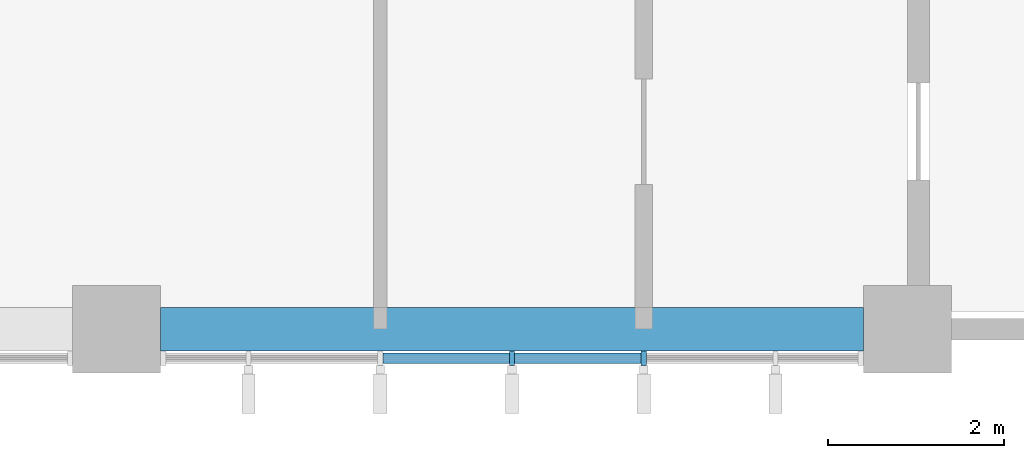
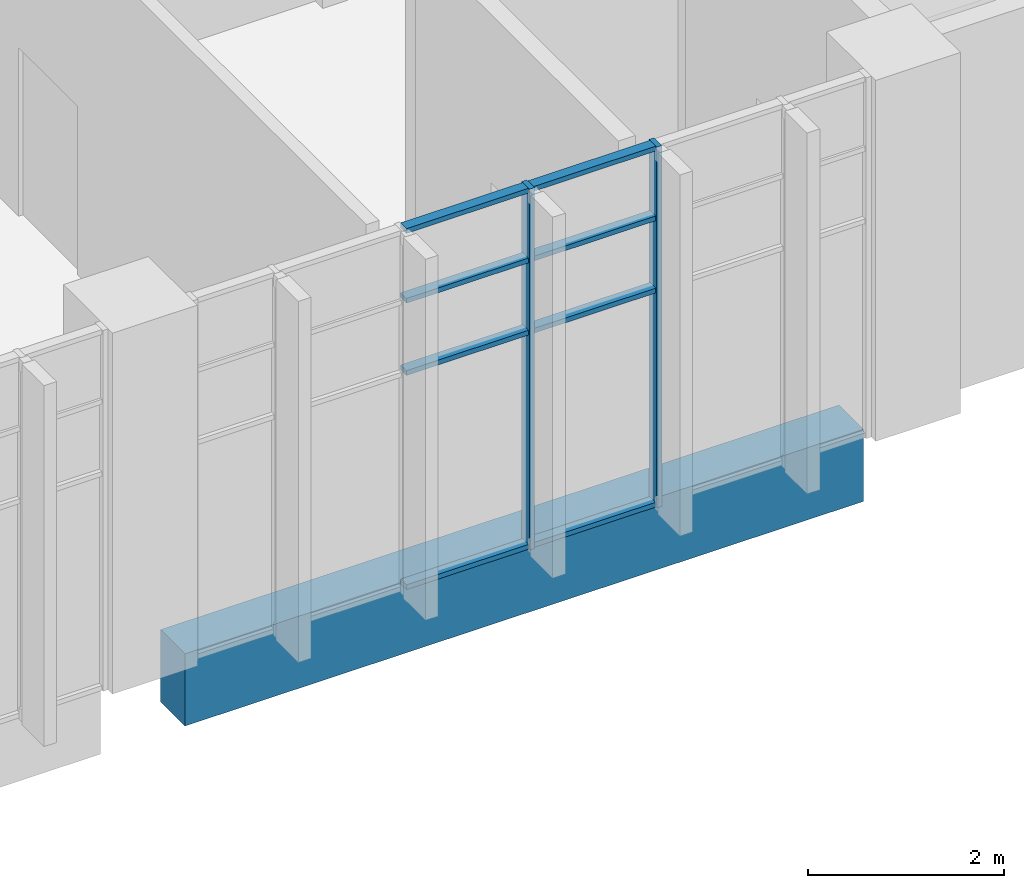
# One storey, part 30 of 88: 10 members, 1 beam, 1 element without a shape of its own.
"""IFC4 building model written with IfcOpenShell, lengths in metres."""

from ifc_helpers import new_model, si_unit, direction, frame, origin, origin_2d, place, context, subcontext, project, spatial, rectangle, extrude, material, layer, layer_set, material_profile, profile_set, type_object, element, aggregate, save


model = new_model("IFC4")

# Units and contexts
model_context = context("Model", 3, precision=1e-05, world=origin(), true_north=direction((0.0, 1.0)))
body_context = subcontext(model_context, "Body", "Model", "MODEL_VIEW")
ifc_project = project(units=[si_unit("LENGTHUNIT", "METRE"), si_unit("AREAUNIT", "SQUARE_METRE"), si_unit("VOLUMEUNIT", "CUBIC_METRE"), si_unit("PLANEANGLEUNIT", "RADIAN"), si_unit("MASSUNIT", "GRAM", prefix="KILO")], contexts=[model_context])

# Site, building, storey
site_placement = place(None, origin())
site = spatial("IfcSite", under=ifc_project, at=site_placement, CompositionType="ELEMENT")
building_placement = place(site_placement, origin())
building = spatial("IfcBuilding", under=site, at=building_placement, Name="Guidao Yard Department Store", CompositionType="ELEMENT")
storey_placement = place(building_placement, frame((0.0, 0.0, 6.0)))
storey = spatial("IfcBuildingStorey", under=building, at=storey_placement, Name="L01", CompositionType="ELEMENT", Elevation=6.0)

# Curtain wall, members
ifc_material_1 = material(Name="Aluminium and glass", Category="aluminium")
ifc_layer = layer(ifc_material_1, 0.159912109375)
ifc_layer_set = layer_set([ifc_layer], Name="Unitised curtain wall CW4 1500 module")
curtain_wall_type = type_object("IfcCurtainWallType", Name="Unitised curtain wall CW4 1500 module", PredefinedType="NOTDEFINED", material=ifc_layer_set)
curtain_wall_placement = place(storey_placement, origin())
curtain_wall = element("IfcCurtainWall", 1, at=curtain_wall_placement, inside=storey, type_object=curtain_wall_type, Name="Unitised curtain wall", PredefinedType="NOTDEFINED")
ifc_material_2 = material(Name="Aluminium 6063-T5", Category="aluminium")
ifc_material_profile_1 = material_profile(ifc_material_2, rectangle(XDim=0.06005859375, YDim=0.159912109375, at=origin_2d()), Name="Mullion M1 60 x 160 aluminium pressure plate")
ifc_profile_set_1 = profile_set([ifc_material_profile_1], Name="Aluminium 6063-T5")
member_type_1 = type_object("IfcMemberType", Name="Mullion M1 60 x 160 aluminium pressure plate", PredefinedType="MULLION", material=ifc_profile_set_1)
member_1_placement = place(storey_placement, frame((157.5, -0.330078125, 0.0), z_axis=(0.0, 0.0, 1.0), x_axis=(-1.0, 0.0, 0.0)))
member_1 = element("IfcMember", 2, at=member_1_placement, type_object=member_type_1, Name="CW-OW-L01-04 mullion 4", PredefinedType="MULLION", context=body_context, shape_type="SweptSolid", body=[
    extrude(rectangle(XDim=0.06005859375, YDim=0.159912109375, at=origin_2d()), origin(), (0.0, 0.0, 1.0), 4.5),
])
member_2_placement = place(storey_placement, frame((159.0, -0.330078125, 0.0), z_axis=(0.0, 0.0, 1.0), x_axis=(-1.0, 0.0, 0.0)))
member_2 = element("IfcMember", 3, at=member_2_placement, type_object=member_type_1, Name="CW-OW-L01-04 mullion 5", PredefinedType="MULLION", context=body_context, shape_type="SweptSolid", body=[
    extrude(rectangle(XDim=0.06005859375, YDim=0.159912109375, at=origin_2d()), origin(), (0.0, 0.0, 1.0), 4.5),
])

# Beam
ifc_material_3 = material(Name="Concrete C40", Category="concrete")
ifc_material_profile_2 = material_profile(ifc_material_3, rectangle(XDim=0.5, YDim=0.89990234375, at=origin_2d()), Name="Spandrel beam 500 x 900 C40")
ifc_profile_set_2 = profile_set([ifc_material_profile_2], Name="Concrete C40")
beam_type = type_object("IfcBeamType", Name="Spandrel beam 500 x 900 C40", PredefinedType="SPANDREL", material=ifc_profile_set_2)
beam_placement = place(storey_placement, frame((153.5, 0.0, -0.449951171875), z_axis=(1.0, 0.0, 0.0), x_axis=(0.0, 1.0, 0.0)))
element("IfcBeam", 4, at=beam_placement, inside=storey, type_object=beam_type, Name="Beam FB03", PredefinedType="SPANDREL", context=body_context, shape_type="SweptSolid", body=[
    extrude(rectangle(XDim=0.5, YDim=0.89990234375, at=origin_2d()), origin(), (0.0, 0.0, 1.0), 8.0),
])

# Member
ifc_material_4 = material(Name="Aluminium 6063-T5", Category="aluminium")
ifc_material_profile_3 = material_profile(ifc_material_4, rectangle(XDim=0.1201171875, YDim=0.06005859375, at=origin_2d()), Name="Transom T1 60 x 120 aluminium pressure plate")
ifc_profile_set_3 = profile_set([ifc_material_profile_3], Name="Aluminium 6063-T5")
member_type_2 = type_object("IfcMemberType", Name="Transom T1 60 x 120 aluminium pressure plate", PredefinedType="USERDEFINED", material=ifc_profile_set_3)
member_3_placement = place(storey_placement, frame((157.469970703125, -0.330078125, 0.030029296875), z_axis=(-1.0, 0.0, 0.0), x_axis=(0.0, -1.0, 0.0)))
member_3 = element("IfcMember", 5, at=member_3_placement, type_object=member_type_2, Name="CW-OW-L01-04 transom 3.1", ObjectType="TRANSOM", PredefinedType="USERDEFINED", context=body_context, shape_type="SweptSolid", body=[
    extrude(rectangle(XDim=0.1201171875, YDim=0.06005859375, at=origin_2d()), origin(), (0.0, 0.0, 1.0), 1.43994140625),
])

member_4_placement = place(storey_placement, frame((157.469970703125, -0.330078125, 2.699951171875), z_axis=(-1.0, 0.0, 0.0), x_axis=(0.0, -1.0, 0.0)))
member_4 = element("IfcMember", 6, at=member_4_placement, type_object=member_type_2, Name="CW-OW-L01-04 transom 3.2", ObjectType="TRANSOM", PredefinedType="USERDEFINED", context=body_context, shape_type="SweptSolid", body=[
    extrude(rectangle(XDim=0.1201171875, YDim=0.06005859375, at=origin_2d()), origin(), (0.0, 0.0, 1.0), 1.43994140625),
])

member_5_placement = place(storey_placement, frame((157.469970703125, -0.330078125, 3.60009765625), z_axis=(-1.0, 0.0, 0.0), x_axis=(0.0, -1.0, 0.0)))
member_5 = element("IfcMember", 7, at=member_5_placement, type_object=member_type_2, Name="CW-OW-L01-04 transom 3.3", ObjectType="TRANSOM", PredefinedType="USERDEFINED", context=body_context, shape_type="SweptSolid", body=[
    extrude(rectangle(XDim=0.1201171875, YDim=0.06005859375, at=origin_2d()), origin(), (0.0, 0.0, 1.0), 1.43994140625),
])

member_6_placement = place(storey_placement, frame((157.469970703125, -0.330078125, 4.469970703125), z_axis=(-1.0, 0.0, 0.0), x_axis=(0.0, -1.0, 0.0)))
member_6 = element("IfcMember", 8, at=member_6_placement, type_object=member_type_2, Name="CW-OW-L01-04 transom 3.4", ObjectType="TRANSOM", PredefinedType="USERDEFINED", context=body_context, shape_type="SweptSolid", body=[
    extrude(rectangle(XDim=0.1201171875, YDim=0.06005859375, at=origin_2d()), origin(), (0.0, 0.0, 1.0), 1.43994140625),
])

member_7_placement = place(storey_placement, frame((158.969970703125, -0.330078125, 0.030029296875), z_axis=(-1.0, 0.0, 0.0), x_axis=(0.0, -1.0, 0.0)))
member_7 = element("IfcMember", 9, at=member_7_placement, type_object=member_type_2, Name="CW-OW-L01-04 transom 4.1", ObjectType="TRANSOM", PredefinedType="USERDEFINED", context=body_context, shape_type="SweptSolid", body=[
    extrude(rectangle(XDim=0.1201171875, YDim=0.06005859375, at=origin_2d()), origin(), (0.0, 0.0, 1.0), 1.43994140625),
])

member_8_placement = place(storey_placement, frame((158.969970703125, -0.330078125, 2.699951171875), z_axis=(-1.0, 0.0, 0.0), x_axis=(0.0, -1.0, 0.0)))
member_8 = element("IfcMember", 10, at=member_8_placement, type_object=member_type_2, Name="CW-OW-L01-04 transom 4.2", ObjectType="TRANSOM", PredefinedType="USERDEFINED", context=body_context, shape_type="SweptSolid", body=[
    extrude(rectangle(XDim=0.1201171875, YDim=0.06005859375, at=origin_2d()), origin(), (0.0, 0.0, 1.0), 1.43994140625),
])

member_9_placement = place(storey_placement, frame((158.969970703125, -0.330078125, 3.60009765625), z_axis=(-1.0, 0.0, 0.0), x_axis=(0.0, -1.0, 0.0)))
member_9 = element("IfcMember", 11, at=member_9_placement, type_object=member_type_2, Name="CW-OW-L01-04 transom 4.3", ObjectType="TRANSOM", PredefinedType="USERDEFINED", context=body_context, shape_type="SweptSolid", body=[
    extrude(rectangle(XDim=0.1201171875, YDim=0.06005859375, at=origin_2d()), origin(), (0.0, 0.0, 1.0), 1.43994140625),
])

member_10_placement = place(storey_placement, frame((158.969970703125, -0.330078125, 4.469970703125), z_axis=(-1.0, 0.0, 0.0), x_axis=(0.0, -1.0, 0.0)))
member_10 = element("IfcMember", 12, at=member_10_placement, type_object=member_type_2, Name="CW-OW-L01-04 transom 4.4", ObjectType="TRANSOM", PredefinedType="USERDEFINED", context=body_context, shape_type="SweptSolid", body=[
    extrude(rectangle(XDim=0.1201171875, YDim=0.06005859375, at=origin_2d()), origin(), (0.0, 0.0, 1.0), 1.43994140625),
])

aggregate(curtain_wall, [member_1, member_2, member_3, member_4, member_5, member_6, member_7, member_8, member_9, member_10])

save(model, "model.ifc")
